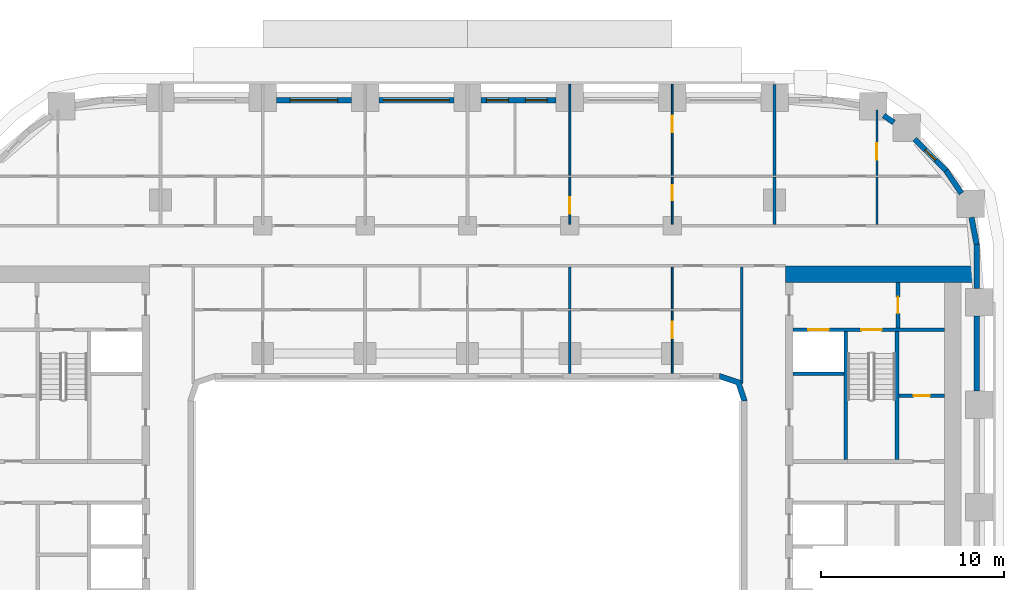
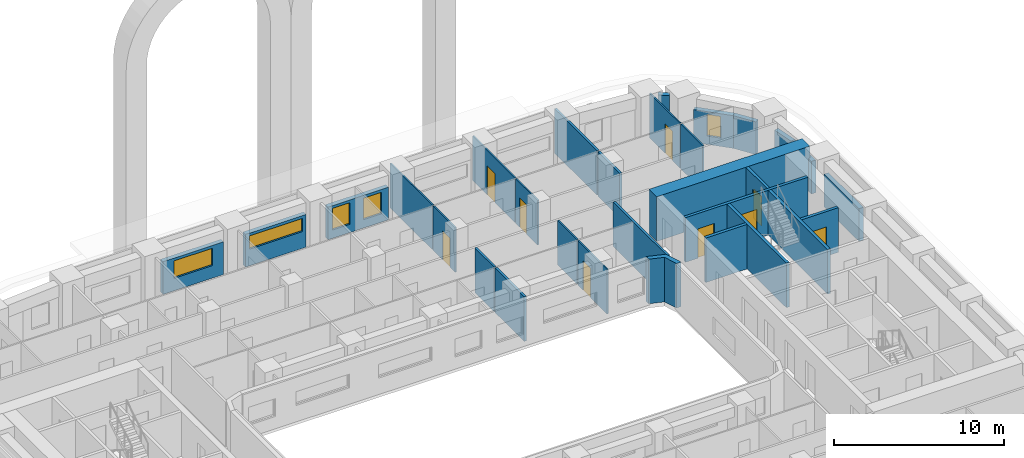
# One storey, part 9 of 21: 30 walls, 9 doors, 5 windows, 14 openings.
"""IFC4 building model written with IfcOpenShell, lengths in metres."""

from ifc_helpers import new_model, si_unit, direction, frame, frame_2d, origin, place, context, subcontext, project, spatial, polyline, rectangle, outline, extrude, material, layer, layer_set, type_object, element, fill, save


model = new_model("IFC4")

# Units and contexts
model_context = context("Model", 3, precision=1e-05, world=origin(), true_north=direction((0.0, 1.0)))
body_context = subcontext(model_context, "Body", "Model", "MODEL_VIEW")
ifc_project = project(units=[si_unit("LENGTHUNIT", "METRE"), si_unit("AREAUNIT", "SQUARE_METRE"), si_unit("VOLUMEUNIT", "CUBIC_METRE"), si_unit("PLANEANGLEUNIT", "RADIAN"), si_unit("MASSUNIT", "GRAM", prefix="KILO")], contexts=[model_context])

# Site, building, storey
site_placement = place(None, origin())
site = spatial("IfcSite", under=ifc_project, at=site_placement, CompositionType="ELEMENT")
building_placement = place(site_placement, origin())
building = spatial("IfcBuilding", under=site, at=building_placement, Name="Kiln Ring Residences", CompositionType="ELEMENT")
storey_placement = place(building_placement, frame((0.0, 0.0, 51.5)))
storey = spatial("IfcBuildingStorey", under=building, at=storey_placement, Name="L12", CompositionType="ELEMENT", Elevation=51.5)

# Wall, opening, door
ifc_material_1 = material(Name="Gypsum board on steel studs", Category="steel")
ifc_layer_1 = layer(ifc_material_1, 0.199951171875)
ifc_layer_set_1 = layer_set([ifc_layer_1], Name="CORE-PARTITION-200")
wall_type_1 = type_object("IfcWallType", Name="CORE-PARTITION-200", PredefinedType="PARTITIONING", material=ifc_layer_set_1)
wall_1_placement = place(storey_placement, frame((23.550048828125, 9.800048828125, 0.0), z_axis=(0.0, 0.0, 1.0), x_axis=(0.0, 1.0, 0.0)))
wall_1 = element("IfcWall", 1, at=wall_1_placement, inside=storey, type_object=wall_type_1, Name="Core partition east L12 3", PredefinedType="PARTITIONING", context=body_context, shape_type="SweptSolid", body=[
    extrude(rectangle(XDim=2.5, YDim=0.199951171875, at=frame_2d((1.25, 0.0))), origin(), (0.0, 0.0, 1.0), 3.199951171875),
])
opening_1_placement = place(wall_1_placement, frame((0.800048828125, 0.0, 0.0)))
opening_1 = element("IfcOpeningElement", 2, at=opening_1_placement, cuts=wall_1, Name="Opening L12-CE09", PredefinedType="OPENING", context=body_context, shape_type="SweptSolid", body=[
    extrude(rectangle(XDim=0.89990234375, YDim=2.10009765625, at=frame_2d((0.449951171875, 1.050048828125))), frame((0.0, 0.10986328125, 0.0), z_axis=(0.0, -1.0, 0.0), x_axis=(1.0, 0.0, 0.0)), (0.0, 0.0, 1.0), 0.219970703125),
])
ifc_material_2 = material(Name="Steel door leaf", Category="steel")
door_type_1 = type_object("IfcDoorType", Name="CORE-DOOR-ROOM", OperationType="SINGLE_SWING_LEFT", PredefinedType="DOOR", material=ifc_material_2)
door_1_placement = place(opening_1_placement, origin())
door_1 = element("IfcDoor", 3, at=door_1_placement, inside=storey, type_object=door_type_1, Name="Fire riser room L12-CE09", OperationType="SINGLE_SWING_RIGHT", OverallHeight=2.10009765625, OverallWidth=0.89990234375, PredefinedType="DOOR", context=body_context, shape_type="SweptSolid", body=[
    extrude(rectangle(XDim=0.89990234375, YDim=2.10009765625, at=frame_2d((0.449951171875, 1.050048828125))), frame((0.0, 0.02490234375, 0.0), z_axis=(0.0, -1.0, 0.0), x_axis=(1.0, 0.0, 0.0)), (0.0, 0.0, 1.0), 0.050048828125),
])
fill(opening_1, door_1)

wall_2_placement = place(storey_placement, frame((23.60009765625, 6.10009765625, 0.0), z_axis=(0.0, 0.0, 1.0), x_axis=(1.0, 0.0, 0.0)))
wall_2 = element("IfcWall", 4, at=wall_2_placement, inside=storey, type_object=wall_type_1, Name="Core partition east L12 6", PredefinedType="PARTITIONING", context=body_context, shape_type="SweptSolid", body=[
    extrude(rectangle(XDim=2.5, YDim=0.199951171875, at=frame_2d((1.25, 0.0))), origin(), (0.0, 0.0, 1.0), 3.199951171875),
])
opening_2_placement = place(wall_2_placement, frame((0.800048828125, 0.0, 0.0)))
opening_2 = element("IfcOpeningElement", 5, at=opening_2_placement, cuts=wall_2, Name="Opening L12-CE17", PredefinedType="OPENING", context=body_context, shape_type="SweptSolid", body=[
    extrude(rectangle(XDim=0.89990234375, YDim=2.10009765625, at=frame_2d((0.449951171875, 1.050048828125))), frame((0.0, 0.10986328125, 0.0), z_axis=(0.0, -1.0, 0.0), x_axis=(1.0, 0.0, 0.0)), (0.0, 0.0, 1.0), 0.219970703125),
])
door_2_placement = place(opening_2_placement, origin())
door_2 = element("IfcDoor", 6, at=door_2_placement, inside=storey, type_object=door_type_1, Name="Electrical plant room L12-CE17", OperationType="SINGLE_SWING_LEFT", OverallHeight=2.10009765625, OverallWidth=0.89990234375, PredefinedType="DOOR", context=body_context, shape_type="SweptSolid", body=[
    extrude(rectangle(XDim=0.89990234375, YDim=2.10009765625, at=frame_2d((0.449951171875, 1.050048828125))), frame((0.0, 0.02490234375, 0.0), z_axis=(0.0, -1.0, 0.0), x_axis=(1.0, 0.0, 0.0)), (0.0, 0.0, 1.0), 0.050048828125),
])
fill(opening_2, door_2)

# Walls
ifc_material_3 = material(Name="Gypsum shaft wall system")
ifc_layer_2 = layer(ifc_material_3, 0.199951171875)
ifc_layer_set_2 = layer_set([ifc_layer_2], Name="CORE-SHAFT-WALL-200")
wall_type_2 = type_object("IfcWallType", Name="CORE-SHAFT-WALL-200", PredefinedType="PARTITIONING", material=ifc_layer_set_2)
wall_3_placement = place(storey_placement, frame((17.800048828125, 7.300048828125, 0.0), z_axis=(0.0, 0.0, 1.0), x_axis=(1.0, 0.0, 0.0)))
element("IfcWall", 7, at=wall_3_placement, inside=storey, type_object=wall_type_2, Name="Core partition east L12 12", PredefinedType="PARTITIONING", context=body_context, shape_type="SweptSolid", body=[
    extrude(rectangle(XDim=2.800048828125, YDim=0.199951171875, at=frame_2d((1.39990234375, 0.0))), origin(), (0.0, 0.0, 1.0), 3.199951171875),
])
ifc_material_4 = material(Name="Concrete C40/50", Category="concrete")
ifc_layer_3 = layer(ifc_material_4, 0.199951171875)
ifc_layer_set_3 = layer_set([ifc_layer_3], Name="CORE-WALL-RC200")
wall_type_3 = type_object("IfcWallType", Name="CORE-WALL-RC200", PredefinedType="SHEAR", material=ifc_layer_set_3)
wall_4_placement = place(storey_placement, frame((20.699951171875, 2.60009765625, 0.0), z_axis=(0.0, 0.0, 1.0), x_axis=(0.0, 1.0, 0.0)))
element("IfcWall", 8, at=wall_4_placement, inside=storey, type_object=wall_type_3, Name="Core wall east L12 1", PredefinedType="SHEAR", context=body_context, shape_type="SweptSolid", body=[
    extrude(rectangle(XDim=7.0, YDim=0.199951171875, at=frame_2d((3.5, 0.0))), origin(), (0.0, 0.0, 1.0), 3.199951171875),
])

# Wall, openings, doors
wall_5_placement = place(storey_placement, frame((17.800048828125, 9.699951171875, 0.0), z_axis=(0.0, 0.0, 1.0), x_axis=(1.0, 0.0, 0.0)))
wall_5 = element("IfcWall", 9, at=wall_5_placement, inside=storey, type_object=wall_type_3, Name="Core wall east L12 9", PredefinedType="SHEAR", context=body_context, shape_type="SweptSolid", body=[
    extrude(rectangle(XDim=8.300048828125, YDim=0.199951171875, at=frame_2d((4.14990234375, 0.0))), origin(), (0.0, 0.0, 1.0), 3.199951171875),
])
opening_3_placement = place(wall_5_placement, frame((0.85009765625, 0.0, 0.0)))
opening_3 = element("IfcOpeningElement", 10, at=opening_3_placement, cuts=wall_5, Name="Opening L12-CE06", PredefinedType="OPENING", context=body_context, shape_type="SweptSolid", body=[
    extrude(rectangle(XDim=1.10009765625, YDim=2.10009765625, at=frame_2d((0.550048828125, 1.050048828125))), frame((0.0, 0.10986328125, 0.0), z_axis=(0.0, -1.0, 0.0), x_axis=(1.0, 0.0, 0.0)), (0.0, 0.0, 1.0), 0.219970703125),
])
opening_4_placement = place(wall_5_placement, frame((3.75, 0.0, 0.0)))
opening_4 = element("IfcOpeningElement", 11, at=opening_4_placement, cuts=wall_5, Name="Opening L12-CE11", PredefinedType="OPENING", context=body_context, shape_type="SweptSolid", body=[
    extrude(rectangle(XDim=1.10009765625, YDim=2.10009765625, at=frame_2d((0.550048828125, 1.050048828125))), frame((0.0, 0.10986328125, 0.0), z_axis=(0.0, -1.0, 0.0), x_axis=(1.0, 0.0, 0.0)), (0.0, 0.0, 1.0), 0.219970703125),
])
ifc_material_5 = material(Name="Steel door leaf", Category="steel")
door_type_2 = type_object("IfcDoorType", Name="CORE-DOOR-LD", OperationType="DOUBLE_DOOR_SLIDING", PredefinedType="DOOR", material=ifc_material_5)
door_3_placement = place(opening_3_placement, origin())
door_3 = element("IfcDoor", 12, at=door_3_placement, inside=storey, type_object=door_type_2, Name="LD E-FF L12-CE06", OperationType="DOUBLE_DOOR_SLIDING", OverallHeight=2.10009765625, OverallWidth=1.10009765625, PredefinedType="DOOR", context=body_context, shape_type="SweptSolid", body=[
    extrude(rectangle(XDim=1.10009765625, YDim=2.10009765625, at=frame_2d((0.550048828125, 1.050048828125))), frame((0.0, 0.02490234375, 0.0), z_axis=(0.0, -1.0, 0.0), x_axis=(1.0, 0.0, 0.0)), (0.0, 0.0, 1.0), 0.050048828125),
])
fill(opening_3, door_3)
ifc_material_6 = material(Name="Steel door leaf", Category="steel")
door_type_3 = type_object("IfcDoorType", Name="CORE-DOOR-STAIR", OperationType="SINGLE_SWING_LEFT", PredefinedType="DOOR", material=ifc_material_6)
door_4_placement = place(opening_4_placement, origin())
door_4 = element("IfcDoor", 13, at=door_4_placement, inside=storey, type_object=door_type_3, Name="Stair E-STN L12-CE11", OperationType="SINGLE_SWING_RIGHT", OverallHeight=2.10009765625, OverallWidth=1.10009765625, PredefinedType="DOOR", context=body_context, shape_type="SweptSolid", body=[
    extrude(rectangle(XDim=1.10009765625, YDim=2.10009765625, at=frame_2d((0.550048828125, 1.050048828125))), frame((0.0, 0.02490234375, 0.0), z_axis=(0.0, -1.0, 0.0), x_axis=(1.0, 0.0, 0.0)), (0.0, 0.0, 1.0), 0.050048828125),
])
fill(opening_4, door_4)

# Walls
wall_6_placement = place(storey_placement, frame((23.5, 2.60009765625, 0.0), z_axis=(0.0, 0.0, 1.0), x_axis=(0.0, 1.0, 0.0)))
element("IfcWall", 14, at=wall_6_placement, inside=storey, type_object=wall_type_3, Name="Core wall east L12 10", PredefinedType="SHEAR", context=body_context, shape_type="SweptSolid", body=[
    extrude(rectangle(XDim=7.0, YDim=0.199951171875, at=frame_2d((3.5, 0.0))), origin(), (0.0, 0.0, 1.0), 3.199951171875),
])
ifc_material_7 = material(Name="Concrete C60/75", Category="concrete")
ifc_layer_4 = layer(ifc_material_7, 0.89990234375)
ifc_layer_set_4 = layer_set([ifc_layer_4], Name="CORE-WALL-RC900")
wall_type_4 = type_object("IfcWallType", Name="CORE-WALL-RC900", PredefinedType="SHEAR", material=ifc_layer_set_4)
wall_7_placement = place(storey_placement, frame((17.39990234375, 12.75, 0.0), z_axis=(0.0, 0.0, 1.0), x_axis=(1.0, 0.0, 0.0)))
element("IfcWall", 15, at=wall_7_placement, inside=storey, type_object=wall_type_4, Name="Core wall east L12 4", PredefinedType="SHEAR", context=body_context, shape_type="SweptSolid", body=[
    extrude(rectangle(XDim=10.400146484375, YDim=0.89990234375, at=frame_2d((5.2001953125, 0.0))), origin(), (0.0, 0.0, 1.0), 3.199951171875),
])
ifc_material_8 = material(Name="Brick masonry, dark clay brick", Category="masonry")
ifc_layer_5 = layer(ifc_material_8, 0.300048828125)
ifc_layer_set_5 = layer_set([ifc_layer_5], Name="EW-300 BRICK WALL")
wall_type_5 = type_object("IfcWallType", Name="EW-300 BRICK WALL", PredefinedType="SOLIDWALL", material=ifc_layer_set_5)
wall_8_placement = place(storey_placement, frame((27.85009765625, 6.35009765625, 0.0), z_axis=(0.0, 0.0, 1.0), x_axis=(0.0, 1.0, 0.0)))
element("IfcWall", 16, at=wall_8_placement, inside=storey, type_object=wall_type_5, Name="Facade wall L12 21", PredefinedType="SOLIDWALL", context=body_context, shape_type="SweptSolid", body=[
    extrude(rectangle(XDim=4.099853515625, YDim=0.300048828125, at=frame_2d((2.0498046875, 0.0))), origin(), (0.0, 0.0, 1.0), 2.35009765625),
])
wall_9_placement = place(storey_placement, frame((27.85009765625, 11.949951171875, 0.0), z_axis=(0.0, 0.0, 1.0), x_axis=(0.0, 1.0, 0.0)))
element("IfcWall", 17, at=wall_9_placement, inside=storey, type_object=wall_type_5, Name="Facade wall L12 22", PredefinedType="SOLIDWALL", context=body_context, shape_type="SweptSolid", body=[
    extrude(rectangle(XDim=2.449951171875, YDim=0.300048828125, at=frame_2d((1.22509765625, 0.0))), origin(), (0.0, 0.0, 1.0), 2.35009765625),
])
for number, where, z_axis, x_axis, name in (
    (18, (27.8525390625, 14.371826171875, 0.0), (0.0, 0.0, 1.0), (-0.187223837635, 0.982317277982, 0.0), "Facade wall L12 23"),
    (19, (27.025390625, 17.1669921875, 0.0), (0.0, 0.0, 1.0), (-0.561973021955, 0.827155561303, 0.0), "Facade wall L12 24"),
):
    element("IfcWall", number, at=place(storey_placement, frame(where, z_axis=z_axis, x_axis=x_axis)), inside=storey, type_object=wall_type_5, Name=name, PredefinedType="SOLIDWALL", context=body_context, shape_type="SweptSolid", body=[
        extrude(rectangle(XDim=1.506103515625, YDim=0.300048828125, at=frame_2d((0.7529296875, 0.0))), origin(), (0.0, 0.0, 1.0), 2.35009765625),
    ])

# Wall, opening, window
wall_10_placement = place(storey_placement, frame((26.19677734375, 18.390869140625, 0.0), z_axis=(0.0, 0.0, 1.0), x_axis=(-0.707106781187, 0.707106781187, 0.0)))
wall_10 = element("IfcWall", 20, at=wall_10_placement, inside=storey, type_object=wall_type_5, Name="Facade wall L12 25", PredefinedType="SOLIDWALL", context=body_context, shape_type="SweptSolid", body=[
    extrude(rectangle(XDim=2.449951171875, YDim=0.300048828125, at=frame_2d((1.22509765625, 0.0))), origin(), (0.0, 0.0, 1.0), 2.35009765625),
])
opening_5_placement = place(wall_10_placement, frame((0.824951171875, 0.0, 0.60009765625)))
opening_5 = element("IfcOpeningElement", 21, at=opening_5_placement, cuts=wall_10, Name="Opening W5", PredefinedType="OPENING", context=body_context, shape_type="SweptSolid", body=[
    extrude(rectangle(XDim=0.800048828125, YDim=1.550048828125, at=frame_2d((0.39990234375, 0.77490234375))), frame((0.0, 0.159912109375, 0.0), z_axis=(0.0, -1.0, 0.0), x_axis=(1.0, 0.0, 0.0)), (0.0, 0.0, 1.0), 0.320068359375),
])
ifc_material_9 = material(Name="Aluminium frame with double glazing", Category="aluminium")
window_type_1 = type_object("IfcWindowType", Name="WINDOW 800 x 1550", PartitioningType="SINGLE_PANEL", PredefinedType="WINDOW", material=ifc_material_9)
window_1_placement = place(opening_5_placement, origin())
window_1 = element("IfcWindow", 22, at=window_1_placement, inside=storey, type_object=window_type_1, Name="Window L12 12", OverallHeight=1.550048828125, OverallWidth=0.800048828125, PartitioningType="SINGLE_PANEL", PredefinedType="WINDOW", context=body_context, shape_type="SweptSolid", body=[
    extrude(rectangle(XDim=0.800048828125, YDim=1.550048828125, at=frame_2d((0.39990234375, 0.77490234375))), frame((0.0, 0.030029296875, 0.0), z_axis=(0.0, -1.0, 0.0), x_axis=(1.0, 0.0, 0.0)), (0.0, 0.0, 1.0), 0.06005859375),
])
fill(opening_5, window_1)

# Wall
wall_11_placement = place(storey_placement, frame((23.3271484375, 21.044921875, 0.0), z_axis=(0.0, 0.0, 1.0), x_axis=(-0.827080706709, 0.562083182981, 0.0)))
element("IfcWall", 23, at=wall_11_placement, inside=storey, type_object=wall_type_5, Name="Facade wall L12 26", PredefinedType="SOLIDWALL", context=body_context, shape_type="SweptSolid", body=[
    extrude(rectangle(XDim=0.67724609375, YDim=0.300048828125, at=frame_2d((0.338623046875, 0.0))), origin(), (0.0, 0.0, 1.0), 3.199951171875),
])

# Wall, openings, windows
wall_12_placement = place(storey_placement, frame((4.85009765625, 22.25, 0.0), z_axis=(0.0, 0.0, 1.0), x_axis=(-1.0, 0.0, 0.0)))
wall_12 = element("IfcWall", 24, at=wall_12_placement, inside=storey, type_object=wall_type_5, Name="Facade wall L12 31", PredefinedType="SOLIDWALL", context=body_context, shape_type="SweptSolid", body=[
    extrude(rectangle(XDim=4.10009765625, YDim=0.300048828125, at=frame_2d((2.050048828125, 0.0))), origin(), (0.0, 0.0, 1.0), 2.35009765625),
])
opening_6_placement = place(wall_12_placement, frame((0.487548828125, 0.0, 0.60009765625)))
opening_6 = element("IfcOpeningElement", 25, at=opening_6_placement, cuts=wall_12, Name="Opening W1", PredefinedType="OPENING", context=body_context, shape_type="SweptSolid", body=[
    extrude(rectangle(XDim=1.199951171875, YDim=1.550048828125, at=frame_2d((0.60009765625, 0.77490234375))), frame((0.0, 0.159912109375, 0.0), z_axis=(0.0, -1.0, 0.0), x_axis=(1.0, 0.0, 0.0)), (0.0, 0.0, 1.0), 0.320068359375),
])
opening_7_placement = place(wall_12_placement, frame((2.612548828125, 0.0, 0.60009765625)))
opening_7 = element("IfcOpeningElement", 26, at=opening_7_placement, cuts=wall_12, Name="Opening W1", PredefinedType="OPENING", context=body_context, shape_type="SweptSolid", body=[
    extrude(rectangle(XDim=1.199951171875, YDim=1.550048828125, at=frame_2d((0.60009765625, 0.77490234375))), frame((0.0, 0.159912109375, 0.0), z_axis=(0.0, -1.0, 0.0), x_axis=(1.0, 0.0, 0.0)), (0.0, 0.0, 1.0), 0.320068359375),
])
ifc_material_10 = material(Name="Aluminium frame with double glazing", Category="aluminium")
window_type_2 = type_object("IfcWindowType", Name="WINDOW 1200 x 1550", PartitioningType="SINGLE_PANEL", PredefinedType="WINDOW", material=ifc_material_10)
window_2_placement = place(opening_6_placement, origin())
window_2 = element("IfcWindow", 27, at=window_2_placement, inside=storey, type_object=window_type_2, Name="Window L12 16", OverallHeight=1.550048828125, OverallWidth=1.199951171875, PartitioningType="SINGLE_PANEL", PredefinedType="WINDOW", context=body_context, shape_type="SweptSolid", body=[
    extrude(rectangle(XDim=1.199951171875, YDim=1.550048828125, at=frame_2d((0.60009765625, 0.77490234375))), frame((0.0, 0.030029296875, 0.0), z_axis=(0.0, -1.0, 0.0), x_axis=(1.0, 0.0, 0.0)), (0.0, 0.0, 1.0), 0.06005859375),
])
fill(opening_6, window_2)
window_3_placement = place(opening_7_placement, origin())
window_3 = element("IfcWindow", 28, at=window_3_placement, inside=storey, type_object=window_type_2, Name="Window L12 17", OverallHeight=1.550048828125, OverallWidth=1.199951171875, PartitioningType="SINGLE_PANEL", PredefinedType="WINDOW", context=body_context, shape_type="SweptSolid", body=[
    extrude(rectangle(XDim=1.199951171875, YDim=1.550048828125, at=frame_2d((0.60009765625, 0.77490234375))), frame((0.0, 0.030029296875, 0.0), z_axis=(0.0, -1.0, 0.0), x_axis=(1.0, 0.0, 0.0)), (0.0, 0.0, 1.0), 0.06005859375),
])
fill(opening_7, window_3)

# Wall, opening, window
wall_13_placement = place(storey_placement, frame((-0.75, 22.25, 0.0), z_axis=(0.0, 0.0, 1.0), x_axis=(-1.0, 0.0, 0.0)))
wall_13 = element("IfcWall", 29, at=wall_13_placement, inside=storey, type_object=wall_type_5, Name="Facade wall L12 32", PredefinedType="SOLIDWALL", context=body_context, shape_type="SweptSolid", body=[
    extrude(rectangle(XDim=4.10009765625, YDim=0.300048828125, at=frame_2d((2.050048828125, 0.0))), origin(), (0.0, 0.0, 1.0), 2.35009765625),
])
opening_8_placement = place(wall_13_placement, frame((0.25, 0.0, 1.199951171875)))
opening_8 = element("IfcOpeningElement", 30, at=opening_8_placement, cuts=wall_13, Name="Opening W4", PredefinedType="OPENING", context=body_context, shape_type="SweptSolid", body=[
    extrude(rectangle(XDim=3.60009765625, YDim=0.949951171875, at=frame_2d((1.800048828125, 0.47509765625))), frame((0.0, 0.159912109375, 0.0), z_axis=(0.0, -1.0, 0.0), x_axis=(1.0, 0.0, 0.0)), (0.0, 0.0, 1.0), 0.320068359375),
])
ifc_material_11 = material(Name="Aluminium frame with double glazing", Category="aluminium")
window_type_3 = type_object("IfcWindowType", Name="WINDOW 3600 x 950", PartitioningType="SINGLE_PANEL", PredefinedType="WINDOW", material=ifc_material_11)
window_4_placement = place(opening_8_placement, origin())
window_4 = element("IfcWindow", 31, at=window_4_placement, inside=storey, type_object=window_type_3, Name="Window L12 18", OverallHeight=0.949951171875, OverallWidth=3.60009765625, PartitioningType="SINGLE_PANEL", PredefinedType="WINDOW", context=body_context, shape_type="SweptSolid", body=[
    extrude(rectangle(XDim=3.60009765625, YDim=0.949951171875, at=frame_2d((1.800048828125, 0.47509765625))), frame((0.0, 0.030029296875, 0.0), z_axis=(0.0, -1.0, 0.0), x_axis=(1.0, 0.0, 0.0)), (0.0, 0.0, 1.0), 0.06005859375),
])
fill(opening_8, window_4)

wall_14_placement = place(storey_placement, frame((-6.35009765625, 22.25, 0.0), z_axis=(0.0, 0.0, 1.0), x_axis=(-1.0, 0.0, 0.0)))
wall_14 = element("IfcWall", 32, at=wall_14_placement, inside=storey, type_object=wall_type_5, Name="Facade wall L12 33", PredefinedType="SOLIDWALL", context=body_context, shape_type="SweptSolid", body=[
    extrude(rectangle(XDim=4.099853515625, YDim=0.300048828125, at=frame_2d((2.0498046875, 0.0))), origin(), (0.0, 0.0, 1.0), 2.35009765625),
])
opening_9_placement = place(wall_14_placement, frame((0.75, 0.0, 0.89990234375)))
opening_9 = element("IfcOpeningElement", 33, at=opening_9_placement, cuts=wall_14, Name="Opening W3", PredefinedType="OPENING", context=body_context, shape_type="SweptSolid", body=[
    extrude(rectangle(XDim=2.60009765625, YDim=1.25, at=frame_2d((1.300048828125, 0.625))), frame((0.0, 0.159912109375, 0.0), z_axis=(0.0, -1.0, 0.0), x_axis=(1.0, 0.0, 0.0)), (0.0, 0.0, 1.0), 0.320068359375),
])
ifc_material_12 = material(Name="Aluminium frame with double glazing", Category="aluminium")
window_type_4 = type_object("IfcWindowType", Name="WINDOW 2600 x 1250", PartitioningType="SINGLE_PANEL", PredefinedType="WINDOW", material=ifc_material_12)
window_5_placement = place(opening_9_placement, origin())
window_5 = element("IfcWindow", 34, at=window_5_placement, inside=storey, type_object=window_type_4, Name="Window L12 19", OverallHeight=1.25, OverallWidth=2.60009765625, PartitioningType="SINGLE_PANEL", PredefinedType="WINDOW", context=body_context, shape_type="SweptSolid", body=[
    extrude(rectangle(XDim=2.60009765625, YDim=1.25, at=frame_2d((1.300048828125, 0.625))), frame((0.0, 0.030029296875, 0.0), z_axis=(0.0, -1.0, 0.0), x_axis=(1.0, 0.0, 0.0)), (0.0, 0.0, 1.0), 0.06005859375),
])
fill(opening_9, window_5)

# Wall
wall_15_placement = place(storey_placement, origin())
element("IfcWall", 35, at=wall_15_placement, inside=storey, type_object=wall_type_5, Name="Corner wall L12 2", PredefinedType="SOLIDWALL", context=body_context, shape_type="SweptSolid", body=[
    extrude(outline(polyline([(14.937255859375, 6.937255859375), (13.8486328125, 7.300048828125), (13.800048828125, 7.300048828125), (13.800048828125, 7.0), (14.699951171875, 6.699951171875), (15.0, 5.800048828125), (15.300048828125, 5.800048828125), (15.300048828125, 5.8486328125), (14.937255859375, 6.937255859375)])), origin(), (0.0, 0.0, 1.0), 3.199951171875),
])

# Wall, opening, door
ifc_material_13 = material(Name="Gypsum board on steel studs", Category="steel")
ifc_layer_6 = layer(ifc_material_13, 0.10009765625)
ifc_layer_set_6 = layer_set([ifc_layer_6], Name="PARTITION-100")
wall_type_6 = type_object("IfcWallType", Name="PARTITION-100", PredefinedType="PARTITIONING", material=ifc_layer_set_6)
wall_16_placement = place(storey_placement, frame((5.60009765625, 15.47509765625, 0.0), z_axis=(0.0, 0.0, 1.0), x_axis=(0.0, 1.0, 0.0)))
wall_16 = element("IfcWall", 36, at=wall_16_placement, inside=storey, type_object=wall_type_6, Name="Partition 048", PredefinedType="PARTITIONING", context=body_context, shape_type="SweptSolid", body=[
    extrude(rectangle(XDim=2.574951171875, YDim=0.10009765625, at=frame_2d((1.28759765625, 0.0))), origin(), (0.0, 0.0, 1.0), 3.199951171875),
])
opening_10_placement = place(wall_16_placement, frame((0.575927734375, 0.0, 0.0)))
opening_10 = element("IfcOpeningElement", 37, at=opening_10_placement, cuts=wall_16, Name="Opening L12-D031", PredefinedType="OPENING", context=body_context, shape_type="SweptSolid", body=[
    extrude(rectangle(XDim=0.89990234375, YDim=2.10009765625, at=frame_2d((0.449951171875, 1.050048828125))), frame((0.0, 0.06005859375, 0.0), z_axis=(0.0, -1.0, 0.0), x_axis=(1.0, 0.0, 0.0)), (0.0, 0.0, 1.0), 0.1201171875),
])
ifc_material_14 = material(Name="Timber door leaf", Category="wood")
door_type_4 = type_object("IfcDoorType", Name="FLAT-DOOR-900-PL", OperationType="SINGLE_SWING_LEFT", PredefinedType="DOOR", material=ifc_material_14)
door_5_placement = place(opening_10_placement, origin())
door_5 = element("IfcDoor", 38, at=door_5_placement, inside=storey, type_object=door_type_4, Name="Door L12-D031", OperationType="SINGLE_SWING_LEFT", OverallHeight=2.10009765625, OverallWidth=0.89990234375, PredefinedType="DOOR", context=body_context, shape_type="SweptSolid", body=[
    extrude(rectangle(XDim=0.89990234375, YDim=2.10009765625, at=frame_2d((0.449951171875, 1.050048828125))), frame((0.0, 0.02490234375, 0.0), z_axis=(0.0, -1.0, 0.0), x_axis=(1.0, 0.0, 0.0)), (0.0, 0.0, 1.0), 0.050048828125),
])
fill(opening_10, door_5)

# Wall
wall_17_placement = place(storey_placement, frame((5.60009765625, 18.14990234375, 0.0), z_axis=(0.0, 0.0, 1.0), x_axis=(0.0, 1.0, 0.0)))
element("IfcWall", 39, at=wall_17_placement, inside=storey, type_object=wall_type_6, Name="Partition 049", PredefinedType="PARTITIONING", context=body_context, shape_type="SweptSolid", body=[
    extrude(rectangle(XDim=4.97998046875, YDim=0.10009765625, at=frame_2d((2.489990234375, 0.0))), origin(), (0.0, 0.0, 1.0), 3.199951171875),
])

# Wall, opening, door
wall_18_placement = place(storey_placement, frame((11.199951171875, 7.320068359375, 0.0), z_axis=(0.0, 0.0, 1.0), x_axis=(0.0, 1.0, 0.0)))
wall_18 = element("IfcWall", 40, at=wall_18_placement, inside=storey, type_object=wall_type_6, Name="Partition 059", PredefinedType="PARTITIONING", context=body_context, shape_type="SweptSolid", body=[
    extrude(rectangle(XDim=3.429931640625, YDim=0.10009765625, at=frame_2d((1.71484375, 0.0))), origin(), (0.0, 0.0, 1.0), 3.199951171875),
])
opening_11_placement = place(wall_18_placement, frame((1.929931640625, 0.0, 0.0)))
opening_11 = element("IfcOpeningElement", 41, at=opening_11_placement, cuts=wall_18, Name="Opening L12-D018", PredefinedType="OPENING", context=body_context, shape_type="SweptSolid", body=[
    extrude(rectangle(XDim=0.89990234375, YDim=2.10009765625, at=frame_2d((0.449951171875, 1.050048828125))), frame((0.0, 0.06005859375, 0.0), z_axis=(0.0, -1.0, 0.0), x_axis=(1.0, 0.0, 0.0)), (0.0, 0.0, 1.0), 0.1201171875),
])
door_6_placement = place(opening_11_placement, origin())
door_6 = element("IfcDoor", 42, at=door_6_placement, inside=storey, type_object=door_type_4, Name="Door L12-D018", OperationType="SINGLE_SWING_LEFT", OverallHeight=2.10009765625, OverallWidth=0.89990234375, PredefinedType="DOOR", context=body_context, shape_type="SweptSolid", body=[
    extrude(rectangle(XDim=0.89990234375, YDim=2.10009765625, at=frame_2d((0.449951171875, 1.050048828125))), frame((0.0, 0.02490234375, 0.0), z_axis=(0.0, -1.0, 0.0), x_axis=(1.0, 0.0, 0.0)), (0.0, 0.0, 1.0), 0.050048828125),
])
fill(opening_11, door_6)

# Wall
wall_19_placement = place(storey_placement, frame((11.199951171875, 10.85009765625, 0.0), z_axis=(0.0, 0.0, 1.0), x_axis=(0.0, 1.0, 0.0)))
element("IfcWall", 43, at=wall_19_placement, inside=storey, type_object=wall_type_6, Name="Partition 060", PredefinedType="PARTITIONING", context=body_context, shape_type="SweptSolid", body=[
    extrude(rectangle(XDim=2.27490234375, YDim=0.10009765625, at=frame_2d((1.137451171875, 0.0))), origin(), (0.0, 0.0, 1.0), 3.199951171875),
])

# Wall, opening, door
wall_20_placement = place(storey_placement, frame((11.199951171875, 15.47509765625, 0.0), z_axis=(0.0, 0.0, 1.0), x_axis=(0.0, 1.0, 0.0)))
wall_20 = element("IfcWall", 44, at=wall_20_placement, inside=storey, type_object=wall_type_6, Name="Partition 061", PredefinedType="PARTITIONING", context=body_context, shape_type="SweptSolid", body=[
    extrude(rectangle(XDim=2.574951171875, YDim=0.10009765625, at=frame_2d((1.28759765625, 0.0))), origin(), (0.0, 0.0, 1.0), 3.199951171875),
])
opening_12_placement = place(wall_20_placement, frame((1.325927734375, 0.0, 0.0)))
opening_12 = element("IfcOpeningElement", 45, at=opening_12_placement, cuts=wall_20, Name="Opening L12-D032", PredefinedType="OPENING", context=body_context, shape_type="SweptSolid", body=[
    extrude(rectangle(XDim=0.800048828125, YDim=2.10009765625, at=frame_2d((0.39990234375, 1.050048828125))), frame((0.0, 0.06005859375, 0.0), z_axis=(0.0, -1.0, 0.0), x_axis=(1.0, 0.0, 0.0)), (0.0, 0.0, 1.0), 0.1201171875),
])
ifc_material_15 = material(Name="Timber door leaf", Category="wood")
door_type_5 = type_object("IfcDoorType", Name="FLAT-DOOR-800-PL", OperationType="SINGLE_SWING_LEFT", PredefinedType="DOOR", material=ifc_material_15)
door_7_placement = place(opening_12_placement, origin())
door_7 = element("IfcDoor", 46, at=door_7_placement, inside=storey, type_object=door_type_5, Name="Door L12-D032", OperationType="SINGLE_SWING_RIGHT", OverallHeight=2.10009765625, OverallWidth=0.800048828125, PredefinedType="DOOR", context=body_context, shape_type="SweptSolid", body=[
    extrude(rectangle(XDim=0.800048828125, YDim=2.10009765625, at=frame_2d((0.39990234375, 1.050048828125))), frame((0.0, 0.02490234375, 0.0), z_axis=(0.0, -1.0, 0.0), x_axis=(1.0, 0.0, 0.0)), (0.0, 0.0, 1.0), 0.050048828125),
])
fill(opening_12, door_7)

wall_21_placement = place(storey_placement, frame((11.199951171875, 18.14990234375, 0.0), z_axis=(0.0, 0.0, 1.0), x_axis=(0.0, 1.0, 0.0)))
wall_21 = element("IfcWall", 47, at=wall_21_placement, inside=storey, type_object=wall_type_6, Name="Partition 062", PredefinedType="PARTITIONING", context=body_context, shape_type="SweptSolid", body=[
    extrude(rectangle(XDim=4.97998046875, YDim=0.10009765625, at=frame_2d((2.489990234375, 0.0))), origin(), (0.0, 0.0, 1.0), 3.199951171875),
])
opening_13_placement = place(wall_21_placement, frame((2.35009765625, 0.0, 0.0)))
opening_13 = element("IfcOpeningElement", 48, at=opening_13_placement, cuts=wall_21, Name="Opening L12-D036", PredefinedType="OPENING", context=body_context, shape_type="SweptSolid", body=[
    extrude(rectangle(XDim=0.89990234375, YDim=2.10009765625, at=frame_2d((0.449951171875, 1.050048828125))), frame((0.0, 0.06005859375, 0.0), z_axis=(0.0, -1.0, 0.0), x_axis=(1.0, 0.0, 0.0)), (0.0, 0.0, 1.0), 0.1201171875),
])
door_8_placement = place(opening_13_placement, origin())
door_8 = element("IfcDoor", 49, at=door_8_placement, inside=storey, type_object=door_type_4, Name="Door L12-D036", OperationType="SINGLE_SWING_RIGHT", OverallHeight=2.10009765625, OverallWidth=0.89990234375, PredefinedType="DOOR", context=body_context, shape_type="SweptSolid", body=[
    extrude(rectangle(XDim=0.89990234375, YDim=2.10009765625, at=frame_2d((0.449951171875, 1.050048828125))), frame((0.0, 0.02490234375, 0.0), z_axis=(0.0, -1.0, 0.0), x_axis=(1.0, 0.0, 0.0)), (0.0, 0.0, 1.0), 0.050048828125),
])
fill(opening_13, door_8)

# Wall
wall_22_placement = place(storey_placement, frame((22.39990234375, 15.47509765625, 0.0), z_axis=(0.0, 0.0, 1.0), x_axis=(0.0, 1.0, 0.0)))
element("IfcWall", 50, at=wall_22_placement, inside=storey, type_object=wall_type_6, Name="Partition 074", PredefinedType="PARTITIONING", context=body_context, shape_type="SweptSolid", body=[
    extrude(rectangle(XDim=2.574951171875, YDim=0.10009765625, at=frame_2d((1.28759765625, 0.0))), origin(), (0.0, 0.0, 1.0), 3.199951171875),
])

# Wall, opening, door
wall_23_placement = place(storey_placement, frame((22.39990234375, 18.14990234375, 0.0), z_axis=(0.0, 0.0, 1.0), x_axis=(0.0, 1.0, 0.0)))
wall_23 = element("IfcWall", 51, at=wall_23_placement, inside=storey, type_object=wall_type_6, Name="Partition 075", PredefinedType="PARTITIONING", context=body_context, shape_type="SweptSolid", body=[
    extrude(rectangle(XDim=3.570068359375, YDim=0.10009765625, at=frame_2d((1.78515625, 0.0))), origin(), (0.0, 0.0, 1.0), 3.199951171875),
])
opening_14_placement = place(wall_23_placement, frame((0.85009765625, 0.0, 0.0)))
opening_14 = element("IfcOpeningElement", 52, at=opening_14_placement, cuts=wall_23, Name="Opening L12-D040", PredefinedType="OPENING", context=body_context, shape_type="SweptSolid", body=[
    extrude(rectangle(XDim=0.89990234375, YDim=2.10009765625, at=frame_2d((0.449951171875, 1.050048828125))), frame((0.0, 0.06005859375, 0.0), z_axis=(0.0, -1.0, 0.0), x_axis=(1.0, 0.0, 0.0)), (0.0, 0.0, 1.0), 0.1201171875),
])
door_9_placement = place(opening_14_placement, origin())
door_9 = element("IfcDoor", 53, at=door_9_placement, inside=storey, type_object=door_type_4, Name="Door L12-D040", OperationType="SINGLE_SWING_LEFT", OverallHeight=2.10009765625, OverallWidth=0.89990234375, PredefinedType="DOOR", context=body_context, shape_type="SweptSolid", body=[
    extrude(rectangle(XDim=0.89990234375, YDim=2.10009765625, at=frame_2d((0.449951171875, 1.050048828125))), frame((0.0, 0.02490234375, 0.0), z_axis=(0.0, -1.0, 0.0), x_axis=(1.0, 0.0, 0.0)), (0.0, 0.0, 1.0), 0.050048828125),
])
fill(opening_14, door_9)

# Walls
ifc_material_16 = material(Name="Brick masonry partition", Category="masonry")
ifc_layer_7 = layer(ifc_material_16, 0.14990234375)
ifc_layer_set_7 = layer_set([ifc_layer_7], Name="PARTITION-150-ei60")
wall_type_7 = type_object("IfcWallType", Name="PARTITION-150-ei60", PredefinedType="PARTITIONING", material=ifc_layer_set_7)
wall_24_placement = place(storey_placement, frame((5.60009765625, 7.320068359375, 0.0), z_axis=(0.0, 0.0, 1.0), x_axis=(0.0, 1.0, 0.0)))
element("IfcWall", 54, at=wall_24_placement, inside=storey, type_object=wall_type_7, Name="Partition 054", PredefinedType="PARTITIONING", context=body_context, shape_type="SweptSolid", body=[
    extrude(rectangle(XDim=3.429931640625, YDim=0.14990234375, at=frame_2d((1.71484375, 0.0))), origin(), (0.0, 0.0, 1.0), 3.199951171875),
])
wall_25_placement = place(storey_placement, frame((5.60009765625, 10.85009765625, 0.0), z_axis=(0.0, 0.0, 1.0), x_axis=(0.0, 1.0, 0.0)))
element("IfcWall", 55, at=wall_25_placement, inside=storey, type_object=wall_type_7, Name="Partition 055", PredefinedType="PARTITIONING", context=body_context, shape_type="SweptSolid", body=[
    extrude(rectangle(XDim=2.27490234375, YDim=0.14990234375, at=frame_2d((1.137451171875, 0.0))), origin(), (0.0, 0.0, 1.0), 3.199951171875),
])
wall_26_placement = place(storey_placement, frame((15.0, 6.768798828125, 0.0), z_axis=(0.0, 0.0, 1.0), x_axis=(0.0, 1.0, 0.0)))
element("IfcWall", 56, at=wall_26_placement, inside=storey, type_object=wall_type_7, Name="Partition 067", PredefinedType="PARTITIONING", context=body_context, shape_type="SweptSolid", body=[
    extrude(rectangle(XDim=6.356201171875, YDim=0.14990234375, at=frame_2d((3.17822265625, 0.0))), origin(), (0.0, 0.0, 1.0), 3.199951171875),
])
wall_27_placement = place(storey_placement, frame((16.800048828125, 15.47509765625, 0.0), z_axis=(0.0, 0.0, 1.0), x_axis=(0.0, 1.0, 0.0)))
element("IfcWall", 57, at=wall_27_placement, inside=storey, type_object=wall_type_7, Name="Partition 070", PredefinedType="PARTITIONING", context=body_context, shape_type="SweptSolid", body=[
    extrude(rectangle(XDim=2.574951171875, YDim=0.14990234375, at=frame_2d((1.28759765625, 0.0))), origin(), (0.0, 0.0, 1.0), 3.199951171875),
])
wall_28_placement = place(storey_placement, frame((16.800048828125, 18.14990234375, 0.0), z_axis=(0.0, 0.0, 1.0), x_axis=(0.0, 1.0, 0.0)))
element("IfcWall", 58, at=wall_28_placement, inside=storey, type_object=wall_type_7, Name="Partition 071", PredefinedType="PARTITIONING", context=body_context, shape_type="SweptSolid", body=[
    extrude(rectangle(XDim=4.97998046875, YDim=0.14990234375, at=frame_2d((2.489990234375, 0.0))), origin(), (0.0, 0.0, 1.0), 3.199951171875),
])

save(model, "model.ifc")
